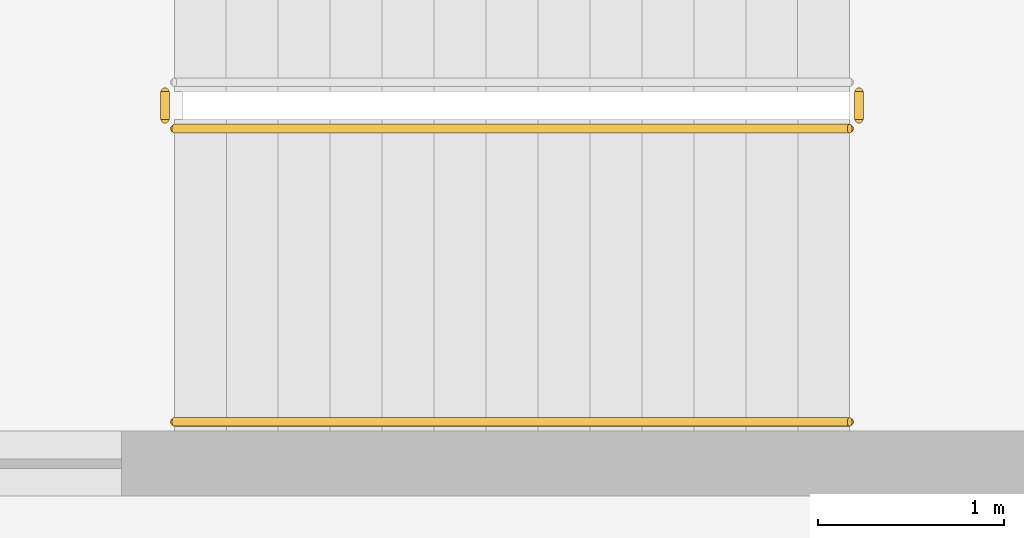
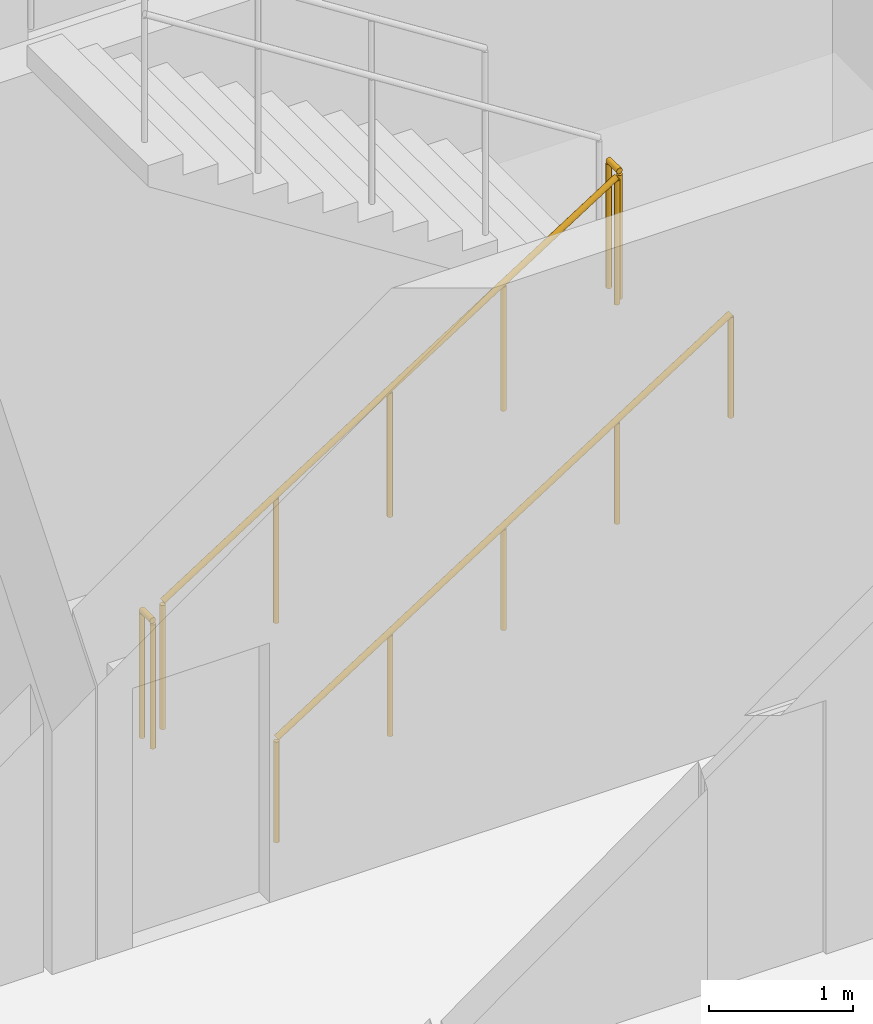
# One storey, part 38 of 43: 4 railings.
"""IFC4 building model written with IfcOpenShell, lengths in metres."""

from ifc_helpers import new_model, si_unit, direction, frame, origin, origin_2d, place, context, subcontext, project, spatial, circle, extrude, material, type_object, element, save


model = new_model("IFC4")

# Units and contexts
model_context = context("Model", 3, precision=1e-05, world=origin(), true_north=direction((0.0, 1.0)))
body_context = subcontext(model_context, "Body", "Model", "MODEL_VIEW")
ifc_project = project(units=[si_unit("LENGTHUNIT", "METRE"), si_unit("AREAUNIT", "SQUARE_METRE"), si_unit("VOLUMEUNIT", "CUBIC_METRE"), si_unit("PLANEANGLEUNIT", "RADIAN"), si_unit("MASSUNIT", "GRAM", prefix="KILO")], contexts=[model_context])

# Site, building, storey
site_placement = place(None, origin())
site = spatial("IfcSite", under=ifc_project, at=site_placement, CompositionType="ELEMENT")
building_placement = place(site_placement, origin())
building = spatial("IfcBuilding", under=site, at=building_placement, Name="Qorvath Tower", CompositionType="ELEMENT")
storey_placement = place(building_placement, frame((0.0, 0.0, 22.0)))
storey = spatial("IfcBuildingStorey", under=building, at=storey_placement, Name="L04", CompositionType="ELEMENT", Elevation=22.0)

# Railings
ifc_material_1 = material(Name="Painted galvanised steel", Category="steel")
railing_type_1 = type_object("IfcRailingType", Name="RL-STR-GRD", PredefinedType="GUARDRAIL", material=ifc_material_1)
railing_1_placement = place(storey_placement, frame((-22.669921875, -6.570068359375, 0.178466796875)))
element("IfcRailing", 1, at=railing_1_placement, inside=storey, type_object=railing_type_1, Name="L04 TS2 stair guard 1", PredefinedType="GUARDRAIL", context=body_context, shape_type="SweptSolid", body=[
    extrude(circle(Radius=0.02392578125, at=origin_2d()), frame((0.0, 0.0, 1.076171875), z_axis=(0.843111507901, 0.0, 0.53773877045), x_axis=(0.0, 1.0, 0.0)), (0.0, 0.0, 1.0), 4.317138671875),
    extrude(circle(Radius=0.02099609375, at=origin_2d()), origin(), (0.0, 0.0, 1.0), 1.052001953125),
    extrude(circle(Radius=0.02099609375, at=origin_2d()), frame((0.909912109375, 0.0, 0.580322265625)), (0.0, 0.0, 1.0), 1.052001953125),
    extrude(circle(Radius=0.02099609375, at=origin_2d()), frame((1.81982421875, 0.0, 1.16064453125)), (0.0, 0.0, 1.0), 1.052001953125),
    extrude(circle(Radius=0.02099609375, at=origin_2d()), frame((2.72998046875, 0.0, 1.7412109375)), (0.0, 0.0, 1.0), 1.052001953125),
    extrude(circle(Radius=0.02099609375, at=origin_2d()), frame((3.639892578125, 0.0, 2.321533203125)), (0.0, 0.0, 1.0), 1.052001953125),
])
for number, where, name in (
    (2, (-18.97998046875, -6.52001953125, 2.5), "L04 TS2 stair guard 2"),
    (3, (-22.719970703125, -6.52001953125, 0.0), "L04 TS2 stair guard 4"),
):
    element("IfcRailing", number, at=place(storey_placement, frame(where)), inside=storey, type_object=railing_type_1, Name=name, PredefinedType="GUARDRAIL", context=body_context, shape_type="SweptSolid", body=[
        extrude(circle(Radius=0.02392578125, at=origin_2d()), frame((0.0, 0.0, 1.076171875), z_axis=(0.0, 1.0, 0.0), x_axis=(-1.0, 0.0, 0.0)), (0.0, 0.0, 1.0), 0.14990234375),
        extrude(circle(Radius=0.02099609375, at=origin_2d()), origin(), (0.0, 0.0, 1.0), 1.052001953125),
        extrude(circle(Radius=0.02099609375, at=origin_2d()), frame((0.0, 0.14990234375, 0.0)), (0.0, 0.0, 1.0), 1.052001953125),
    ])
ifc_material_2 = material(Name="Brushed stainless steel AISI 304", Category="steel")
railing_type_2 = type_object("IfcRailingType", Name="RL-STR-HND", PredefinedType="HANDRAIL", material=ifc_material_2)
railing_2_placement = place(storey_placement, frame((-22.669921875, -8.14990234375, 0.178466796875)))
element("IfcRailing", 4, at=railing_2_placement, inside=storey, type_object=railing_type_2, Name="L04 TS2 stair handrail 1", PredefinedType="HANDRAIL", context=body_context, shape_type="SweptSolid", body=[
    extrude(circle(Radius=0.02392578125, at=origin_2d()), frame((0.0, 0.0, 0.8759765625), z_axis=(0.843111507901, 0.0, 0.53773877045), x_axis=(0.0, 1.0, 0.0)), (0.0, 0.0, 1.0), 4.317138671875),
    extrude(circle(Radius=0.02099609375, at=origin_2d()), origin(), (0.0, 0.0, 1.0), 0.851806640625),
    extrude(circle(Radius=0.02099609375, at=origin_2d()), frame((0.909912109375, 0.0, 0.580322265625)), (0.0, 0.0, 1.0), 0.851806640625),
    extrude(circle(Radius=0.02099609375, at=origin_2d()), frame((1.81982421875, 0.0, 1.16064453125)), (0.0, 0.0, 1.0), 0.851806640625),
    extrude(circle(Radius=0.02099609375, at=origin_2d()), frame((2.72998046875, 0.0, 1.7412109375)), (0.0, 0.0, 1.0), 0.851806640625),
    extrude(circle(Radius=0.02099609375, at=origin_2d()), frame((3.639892578125, 0.0, 2.321533203125)), (0.0, 0.0, 1.0), 0.851806640625),
])

save(model, "model.ifc")
